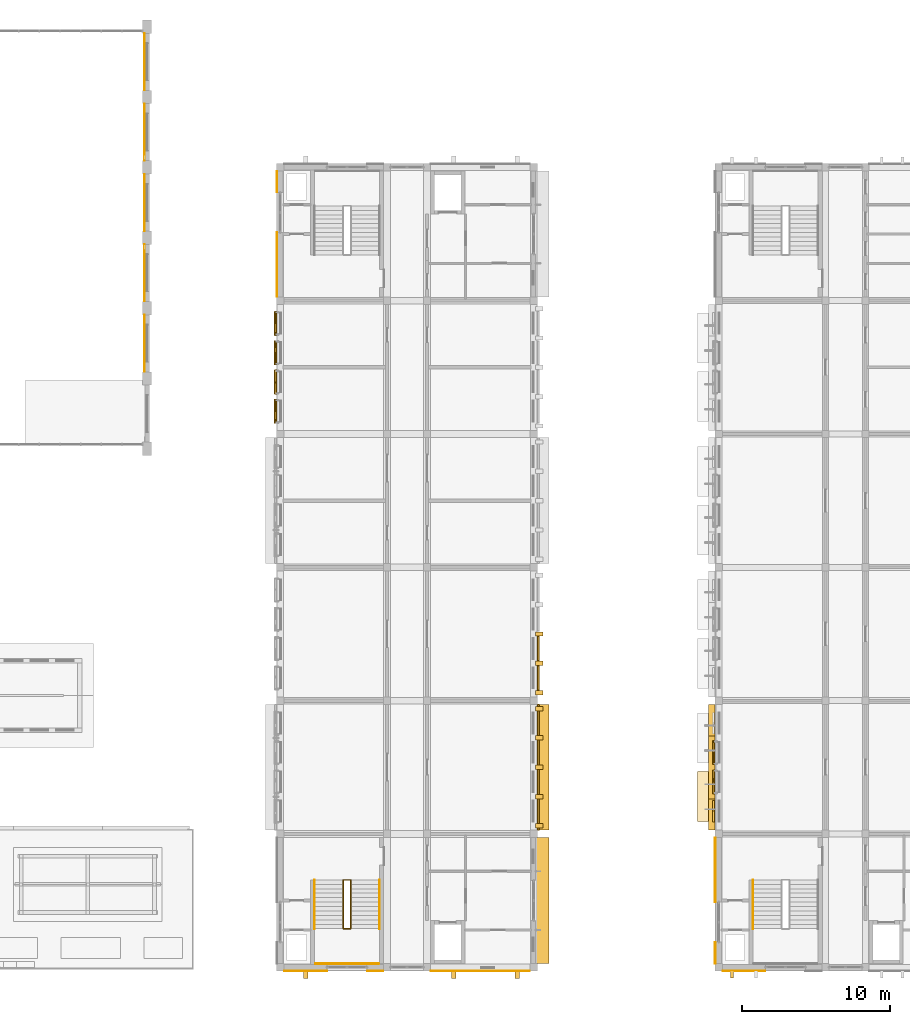
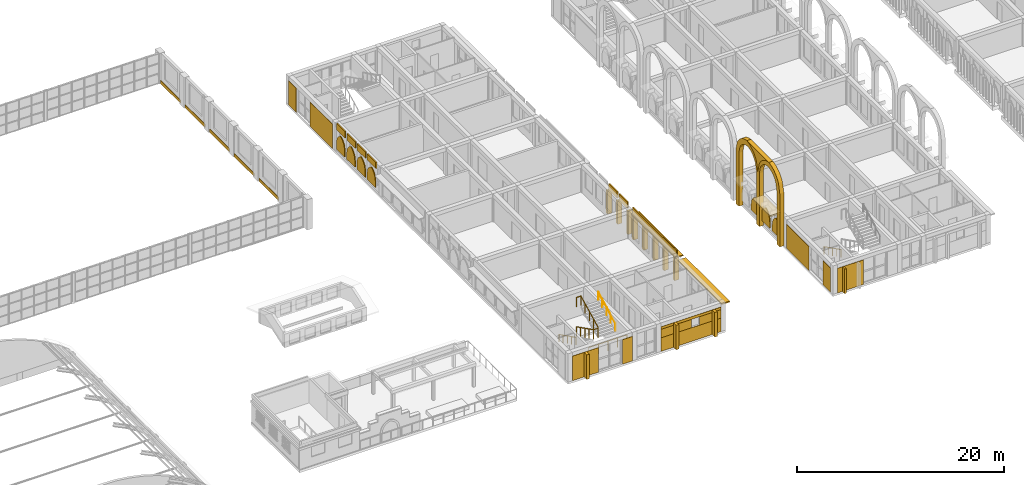
# One storey, part 57 of 70: 38 coverings, 9 shading devices, 5 railings.
"""IFC4 building model written with IfcOpenShell, lengths in metres."""

import ifcopenshell
import ifcopenshell.guid

model = None  # the IFC model being written
_history = None  # IfcOwnerHistory: only IFC2X3 demands one
_inside = {}  # id of a spatial element -> (the spatial element, [elements in it])
_under = {}  # id of a project, library or spatial element -> (it, [spatial elements below it])
_declared = {}  # id of a project -> (the project, [libraries it declares])
_typed = {}  # id of a type object -> (the type object, [elements of that type])
_made_of = {}  # id of a material, layer set ... -> (it, [elements and type objects made of it])


def new_model(schema):
    """Start an empty IFC model of exactly this schema.

    Asked for "IFC4X3", IfcOpenShell would pick the latest addendum, in which some entities
    have other attributes; the version numbers below select the first issue.
    IFC2X3 requires an IfcOwnerHistory on every rooted entity: one is made here for all.
    """
    global model, _history
    if schema == "IFC4X3":
        model = ifcopenshell.file(schema_version=(4, 3, 0, 0))
    else:
        model = ifcopenshell.file(schema=schema)
    _inside.clear()
    _under.clear()
    _declared.clear()
    _typed.clear()
    _made_of.clear()
    _history = None
    if model.schema == "IFC2X3":
        org = make("IfcOrganization", Name="unknown")
        user = make(
            "IfcPersonAndOrganization",
            ThePerson=make("IfcPerson", FamilyName="unknown"),
            TheOrganization=org,
        )
        app = make(
            "IfcApplication",
            ApplicationDeveloper=org,
            Version="unknown",
            ApplicationFullName="unknown",
            ApplicationIdentifier="unknown",
        )
        _history = make(
            "IfcOwnerHistory",
            OwningUser=user,
            OwningApplication=app,
            ChangeAction="ADDED",
            CreationDate=0,
        )
    return model


def make(cls, **values):
    """One entity of the class cls with the attributes given. An attribute that is None is left unset."""
    return model.create_entity(
        cls, **{name: value for name, value in values.items() if value is not None}
    )


def rooted(cls, **values):
    """An entity with a GlobalId (a new one), such as an element, a storey or a relation."""
    return make(cls, GlobalId=ifcopenshell.guid.new(), OwnerHistory=_history, **values)


def si_unit(unit_type, name, prefix=None):
    """IfcSIUnit, for example si_unit("LENGTHUNIT", "METRE", prefix="MILLI")."""
    return make("IfcSIUnit", UnitType=unit_type, Prefix=prefix, Name=name)


def assignment(units):
    """IfcUnitAssignment: the units of a project."""
    return None if units is None else make("IfcUnitAssignment", Units=units)


def point(xyz):
    """IfcCartesianPoint."""
    return None if xyz is None else make("IfcCartesianPoint", Coordinates=xyz)


def direction(xyz):
    """IfcDirection."""
    return None if xyz is None else make("IfcDirection", DirectionRatios=xyz)


def frame(location, z_axis=None, x_axis=None):
    """IfcAxis2Placement3D, a coordinate frame: its origin and axes. An axis left out is left unset."""
    return make(
        "IfcAxis2Placement3D",
        Location=point(location),
        Axis=direction(z_axis),
        RefDirection=direction(x_axis),
    )


def frame_2d(location, x_axis=None):
    """IfcAxis2Placement2D, a coordinate frame in the plane: its origin and x axis."""
    return make(
        "IfcAxis2Placement2D", Location=point(location), RefDirection=direction(x_axis)
    )


def origin():
    """The frame at (0, 0, 0) with its axes left unset."""
    return frame((0.0, 0.0, 0.0))


def origin_2d():
    """The frame at (0, 0) in the plane with its x axis left unset."""
    return frame_2d((0.0, 0.0))


def place(relative_to, where):
    """IfcLocalPlacement: puts the frame where relative to a parent placement (None: the world)."""
    return make(
        "IfcLocalPlacement", PlacementRelTo=relative_to, RelativePlacement=where
    )


def context(
    kind, dimensions, precision=None, world=None, true_north=None, identifier=None
):
    """IfcGeometricRepresentationContext, for example the 3D "Model" context."""
    return make(
        "IfcGeometricRepresentationContext",
        ContextIdentifier=identifier,
        ContextType=kind,
        CoordinateSpaceDimension=dimensions,
        Precision=precision,
        WorldCoordinateSystem=world,
        TrueNorth=true_north,
    )


def subcontext(parent, identifier, kind, view, scale=None):
    """IfcGeometricRepresentationSubContext, for example "Body" below "Model"."""
    return make(
        "IfcGeometricRepresentationSubContext",
        ContextIdentifier=identifier,
        ContextType=kind,
        ParentContext=parent,
        TargetScale=scale,
        TargetView=view,
    )


def project(units=None, contexts=None):
    """IfcProject with its units and contexts."""
    return rooted(
        "IfcProject",
        Name="project",
        RepresentationContexts=contexts,
        UnitsInContext=assignment(units),
    )


def spatial(cls, under=None, at=None, **own):
    """A site, building, storey or space (cls), placed at a placement, below another one or the project."""
    s = rooted(cls, ObjectPlacement=at, **own)
    if under is not None:
        _under.setdefault(under.id(), (under, []))[1].append(s)
    return s


def polyline(points):
    """IfcPolyline through the points."""
    return make("IfcPolyline", Points=[point(p) for p in points])


def profile(cls, at=None, kind="AREA", **sizes):
    """A parametric profile (cls). Its sizes go by their IFC names, for example OverallWidth=200.0."""
    return make(cls, ProfileType=kind, Position=at, **sizes)


def rectangle(**sizes):
    """IfcRectangleProfileDef."""
    return profile("IfcRectangleProfileDef", **sizes)


def circle(**sizes):
    """IfcCircleProfileDef."""
    return profile("IfcCircleProfileDef", **sizes)


def outline(outer, holes=None, kind="AREA"):
    """IfcArbitraryClosedProfileDef: a profile drawn as a closed curve; with holes, ...WithVoids."""
    if holes is None:
        return make("IfcArbitraryClosedProfileDef", ProfileType=kind, OuterCurve=outer)
    return make(
        "IfcArbitraryProfileDefWithVoids",
        ProfileType=kind,
        OuterCurve=outer,
        InnerCurves=holes,
    )


def extrude(swept, where, along, depth):
    """IfcExtrudedAreaSolid: the profile swept, set in the frame where, extruded along a direction by depth."""
    return make(
        "IfcExtrudedAreaSolid",
        SweptArea=swept,
        Position=where,
        ExtrudedDirection=direction(along),
        Depth=depth,
    )


def shape(context_of_items, identifier, shape_type, items):
    """IfcShapeRepresentation: the items that make up one representation, for example the "Body"."""
    return make(
        "IfcShapeRepresentation",
        ContextOfItems=context_of_items,
        RepresentationIdentifier=identifier,
        RepresentationType=shape_type,
        Items=items,
    )


def material(Name=None, Category=None):
    """IfcMaterial."""
    return make("IfcMaterial", Name=Name, Category=Category)


def layer(
    of_material, thickness, ventilated=None, Name=None, Category=None, Priority=None
):
    """IfcMaterialLayer: one layer of a wall or slab, of a material (None: an air gap)."""
    return make(
        "IfcMaterialLayer",
        Material=of_material,
        LayerThickness=thickness,
        IsVentilated=ventilated,
        Name=Name,
        Category=Category,
        Priority=Priority,
    )


def layer_set(layers, Name=None):
    """IfcMaterialLayerSet."""
    return make("IfcMaterialLayerSet", MaterialLayers=layers, LayerSetName=Name)


def made_of(thing, what):
    """Note that an element or type object is made of a material, layer set ...; save() writes the relation."""
    if what is not None:
        _made_of.setdefault(what.id(), (what, []))[1].append(thing)
    return thing


def type_object(cls, material=None, **own):
    """A type object (cls), such as IfcWallType, which elements share."""
    return made_of(rooted(cls, **own), material)


def element(
    cls,
    number,
    at=None,
    inside=None,
    cuts=None,
    type_object=None,
    material=None,
    context=None,
    identifier="Body",
    shape_type=None,
    held_by="IfcProductDefinitionShape",
    body=None,
    shapes=None,
    **own,
):
    """One element of the class cls, such as IfcWall. Its Tag is "e" and its number.

    at: its placement. inside: the storey or other place that contains it. cuts: it is an
    opening in that element (IfcRelVoidsElement). A single representation is given by context,
    identifier, shape_type and body (its items); several are given by shapes. held_by: the class
    of the entity that holds the representations. save() writes the other relations.
    """
    e = rooted(cls, Tag="e%d" % number, ObjectPlacement=at, **own)
    if body is not None:
        shapes = [shape(context, identifier, shape_type, body)]
    if shapes is not None:
        e.Representation = make(held_by, Representations=shapes)
    if inside is not None:
        _inside.setdefault(inside.id(), (inside, []))[1].append(e)
    if cuts is not None:
        rooted(
            "IfcRelVoidsElement", RelatingBuildingElement=cuts, RelatedOpeningElement=e
        )
    if type_object is not None:
        _typed.setdefault(type_object.id(), (type_object, []))[1].append(e)
    return made_of(e, material)


def aggregate(whole, parts):
    """IfcRelAggregates: a whole, such as a stair, and the parts it consists of."""
    return rooted("IfcRelAggregates", RelatingObject=whole, RelatedObjects=parts)


def save(model, path):
    """Write the relations noted so far, then the file.

    IfcRelAggregates (storeys below a building ...), IfcRelContainedInSpatialStructure (elements
    in a storey), IfcRelDefinesByType, IfcRelAssociatesMaterial and IfcRelDeclares: one each for
    every whole, place, type object, material and project.
    """
    for whole, parts in _under.values():
        aggregate(whole, parts)
    for where, things in _inside.values():
        rooted(
            "IfcRelContainedInSpatialStructure",
            RelatedElements=things,
            RelatingStructure=where,
        )
    for kind, things in _typed.values():
        rooted("IfcRelDefinesByType", RelatedObjects=things, RelatingType=kind)
    for what, things in _made_of.values():
        rooted("IfcRelAssociatesMaterial", RelatedObjects=things, RelatingMaterial=what)
    for by, libraries in _declared.values():
        rooted("IfcRelDeclares", RelatingContext=by, RelatedDefinitions=libraries)
    model.write(path)


model = new_model("IFC4")

# Units and contexts
model_context = context("Model", 3, precision=1e-05, world=origin(), true_north=direction((0.0, 1.0)))
body_context = subcontext(model_context, "Body", "Model", "MODEL_VIEW")
ifc_project = project(units=[si_unit("LENGTHUNIT", "METRE"), si_unit("AREAUNIT", "SQUARE_METRE"), si_unit("VOLUMEUNIT", "CUBIC_METRE"), si_unit("PLANEANGLEUNIT", "RADIAN"), si_unit("MASSUNIT", "GRAM", prefix="KILO")], contexts=[model_context])

# Site, building, storey
site_placement = place(None, origin())
site = spatial("IfcSite", under=ifc_project, at=site_placement, CompositionType="ELEMENT")
building_placement = place(site_placement, origin())
building = spatial("IfcBuilding", under=site, at=building_placement, Name="Elbe Cascade School", CompositionType="ELEMENT")
storey_placement = place(building_placement, frame((0.0, 0.0, 8.10009765625)))
storey = spatial("IfcBuildingStorey", under=building, at=storey_placement, Name="L02", CompositionType="ELEMENT", Elevation=8.10009765625)

# Railings
ifc_material_1 = material(Name="Steel S355J2H, painted", Category="steel")
railing_type_1 = type_object("IfcRailingType", Name="Bar stair guard 1100", PredefinedType="GUARDRAIL", material=ifc_material_1)
railing_1_placement = place(storey_placement, frame((73.25, 11.89990234375, 0.14990234375)))
element("IfcRailing", 1, at=railing_1_placement, inside=storey, type_object=railing_type_1, Name="Stair guard A2.S", PredefinedType="GUARDRAIL", context=body_context, shape_type="SweptSolid", body=[
    extrude(circle(Radius=0.02392578125, at=origin_2d()), frame((0.0, 0.0, 1.09619140625), z_axis=(0.0, -0.894427191, 0.4472135955), x_axis=(1.0, 0.0, 0.0)), (0.0, 0.0, 1.0), 3.689208984375),
    extrude(circle(Radius=0.02392578125, at=origin_2d()), frame((0.0, -3.2998046875, 2.74609375), z_axis=(1.0, 0.0, 0.0), x_axis=(0.0, 1.0, 0.0)), (0.0, 0.0, 1.0), 0.5),
    extrude(circle(Radius=0.02392578125, at=origin_2d()), frame((0.5, -3.2998046875, 2.74609375), z_axis=(0.0, 0.0, 1.0), x_axis=(1.0, 0.0, 0.0)), (0.0, 0.0, 1.0), 0.150146484375),
    extrude(circle(Radius=0.02392578125, at=origin_2d()), frame((0.5, -3.2998046875, 2.89599609375), z_axis=(0.0, 0.894427191, 0.4472135955), x_axis=(-1.0, 0.0, 0.0)), (0.0, 0.0, 1.0), 3.689208984375),
    extrude(circle(Radius=0.02392578125, at=origin_2d()), frame((0.5, 0.0, 4.5458984375), z_axis=(-1.0, 0.0, 0.0), x_axis=(0.0, -1.0, 0.0)), (0.0, 0.0, 1.0), 0.5),
    extrude(circle(Radius=0.02099609375, at=origin_2d()), origin(), (0.0, 0.0, 1.0), 1.072021484375),
    extrude(circle(Radius=0.02099609375, at=origin_2d()), frame((0.0, -0.824951171875, 0.41259765625)), (0.0, 0.0, 1.0), 1.072021484375),
    extrude(circle(Radius=0.02099609375, at=origin_2d()), frame((0.0, -1.64990234375, 0.824951171875)), (0.0, 0.0, 1.0), 1.072021484375),
    extrude(circle(Radius=0.02099609375, at=origin_2d()), frame((0.0, -2.474853515625, 1.2373046875)), (0.0, 0.0, 1.0), 1.072021484375),
    extrude(circle(Radius=0.02099609375, at=origin_2d()), frame((0.0, -3.2998046875, 1.64990234375)), (0.0, 0.0, 1.0), 1.072021484375),
    extrude(circle(Radius=0.02099609375, at=origin_2d()), frame((0.5, -3.2998046875, 1.64990234375)), (0.0, 0.0, 1.0), 1.072021484375),
    extrude(circle(Radius=0.02099609375, at=origin_2d()), frame((0.5, -3.2998046875, 1.800048828125)), (0.0, 0.0, 1.0), 1.072021484375),
    extrude(circle(Radius=0.02099609375, at=origin_2d()), frame((0.5, -2.474853515625, 2.21240234375)), (0.0, 0.0, 1.0), 1.072021484375),
    extrude(circle(Radius=0.02099609375, at=origin_2d()), frame((0.5, -1.64990234375, 2.625)), (0.0, 0.0, 1.0), 1.072021484375),
    extrude(circle(Radius=0.02099609375, at=origin_2d()), frame((0.5, -0.824951171875, 3.03759765625)), (0.0, 0.0, 1.0), 1.072021484375),
    extrude(circle(Radius=0.02099609375, at=origin_2d()), frame((0.5, 0.0, 3.449951171875)), (0.0, 0.0, 1.0), 1.072021484375),
    extrude(circle(Radius=0.02099609375, at=origin_2d()), frame((0.0, 0.0, 3.449951171875)), (0.0, 0.0, 1.0), 1.072021484375),
])
railing_2_placement = place(storey_placement, frame((71.360107421875, 6.239990234375, 1.7998046875)))
element("IfcRailing", 2, at=railing_2_placement, inside=storey, type_object=railing_type_1, Name="Stair guard A2.S", PredefinedType="GUARDRAIL", context=body_context, shape_type="SweptSolid", body=[
    extrude(circle(Radius=0.02392578125, at=origin_2d()), frame((0.0, 0.0, 1.09619140625), z_axis=(1.0, 0.0, 0.0), x_axis=(0.0, 1.0, 0.0)), (0.0, 0.0, 1.0), 4.27978515625),
    extrude(circle(Radius=0.02099609375, at=origin_2d()), origin(), (0.0, 0.0, 1.0), 1.072021484375),
    extrude(circle(Radius=0.02099609375, at=origin_2d()), frame((1.06982421875, 0.0, 0.0)), (0.0, 0.0, 1.0), 1.072021484375),
    extrude(circle(Radius=0.02099609375, at=origin_2d()), frame((2.139892578125, 0.0, 0.0)), (0.0, 0.0, 1.0), 1.072021484375),
    extrude(circle(Radius=0.02099609375, at=origin_2d()), frame((3.2099609375, 0.0, 0.0)), (0.0, 0.0, 1.0), 1.072021484375),
    extrude(circle(Radius=0.02099609375, at=origin_2d()), frame((4.27978515625, 0.0, 0.0)), (0.0, 0.0, 1.0), 1.072021484375),
])
ifc_material_2 = material(Name="Steel S355J2H, painted", Category="steel")
railing_type_2 = type_object("IfcRailingType", Name="Bar stair handrail 900", PredefinedType="HANDRAIL", material=ifc_material_2)
railing_3_placement = place(storey_placement, frame((71.300048828125, 11.89990234375, 0.14990234375)))
element("IfcRailing", 3, at=railing_3_placement, inside=storey, type_object=railing_type_2, Name="Stair handrail A2.S", PredefinedType="HANDRAIL", context=body_context, shape_type="SweptSolid", body=[
    extrude(circle(Radius=0.02392578125, at=origin_2d()), frame((0.0, 0.0, 0.8759765625), z_axis=(0.0, -0.894427191, 0.4472135955), x_axis=(1.0, 0.0, 0.0)), (0.0, 0.0, 1.0), 3.689208984375),
    extrude(circle(Radius=0.02099609375, at=origin_2d()), origin(), (0.0, 0.0, 1.0), 0.851806640625),
    extrude(circle(Radius=0.02099609375, at=origin_2d()), frame((0.0, -0.824951171875, 0.41259765625)), (0.0, 0.0, 1.0), 0.851806640625),
    extrude(circle(Radius=0.02099609375, at=origin_2d()), frame((0.0, -1.64990234375, 0.824951171875)), (0.0, 0.0, 1.0), 0.851806640625),
    extrude(circle(Radius=0.02099609375, at=origin_2d()), frame((0.0, -2.474853515625, 1.2373046875)), (0.0, 0.0, 1.0), 0.851806640625),
    extrude(circle(Radius=0.02099609375, at=origin_2d()), frame((0.0, -3.2998046875, 1.64990234375)), (0.0, 0.0, 1.0), 0.851806640625),
])
railing_4_placement = place(storey_placement, frame((75.699951171875, 8.60009765625, 1.949951171875)))
element("IfcRailing", 4, at=railing_4_placement, inside=storey, type_object=railing_type_2, Name="Stair handrail A2.S", PredefinedType="HANDRAIL", context=body_context, shape_type="SweptSolid", body=[
    extrude(circle(Radius=0.02392578125, at=origin_2d()), frame((0.0, 0.0, 0.8759765625), z_axis=(0.0, 0.894427191, 0.4472135955), x_axis=(-1.0, 0.0, 0.0)), (0.0, 0.0, 1.0), 3.689208984375),
    extrude(circle(Radius=0.02099609375, at=origin_2d()), origin(), (0.0, 0.0, 1.0), 0.851806640625),
    extrude(circle(Radius=0.02099609375, at=origin_2d()), frame((0.0, 0.824951171875, 0.41259765625)), (0.0, 0.0, 1.0), 0.851806640625),
    extrude(circle(Radius=0.02099609375, at=origin_2d()), frame((0.0, 1.64990234375, 0.824951171875)), (0.0, 0.0, 1.0), 0.851806640625),
    extrude(circle(Radius=0.02099609375, at=origin_2d()), frame((0.0, 2.474853515625, 1.2373046875)), (0.0, 0.0, 1.0), 0.851806640625),
    extrude(circle(Radius=0.02099609375, at=origin_2d()), frame((0.0, 3.2998046875, 1.64990234375)), (0.0, 0.0, 1.0), 0.851806640625),
])
railing_5_placement = place(storey_placement, frame((100.89990234375, 11.89990234375, 0.14990234375)))
element("IfcRailing", 5, at=railing_5_placement, inside=storey, type_object=railing_type_2, Name="Stair handrail B2.S", PredefinedType="HANDRAIL", context=body_context, shape_type="SweptSolid", body=[
    extrude(circle(Radius=0.02392578125, at=origin_2d()), frame((0.0, 0.0, 0.8759765625), z_axis=(0.0, -0.894427191, 0.4472135955), x_axis=(1.0, 0.0, 0.0)), (0.0, 0.0, 1.0), 3.689208984375),
    extrude(circle(Radius=0.02099609375, at=origin_2d()), origin(), (0.0, 0.0, 1.0), 0.851806640625),
    extrude(circle(Radius=0.02099609375, at=origin_2d()), frame((0.0, -0.824951171875, 0.41259765625)), (0.0, 0.0, 1.0), 0.851806640625),
    extrude(circle(Radius=0.02099609375, at=origin_2d()), frame((0.0, -1.64990234375, 0.824951171875)), (0.0, 0.0, 1.0), 0.851806640625),
    extrude(circle(Radius=0.02099609375, at=origin_2d()), frame((0.0, -2.474853515625, 1.2373046875)), (0.0, 0.0, 1.0), 0.851806640625),
    extrude(circle(Radius=0.02099609375, at=origin_2d()), frame((0.0, -3.2998046875, 1.64990234375)), (0.0, 0.0, 1.0), 0.851806640625),
])

# Shading devices
ifc_material_3 = material(Name="Precast concrete C30/37", Category="concrete")
ifc_layer_1 = layer(ifc_material_3, 0.1201171875)
ifc_layer_set_1 = layer_set([ifc_layer_1], Name="Precast concrete C30/37")
shading_device_type_1 = type_object("IfcShadingDeviceType", Name="Bars envelope Chhajja eave, precast concrete, 900 x 120", PredefinedType="USERDEFINED", material=ifc_layer_set_1)
for number, where, z_axis, x_axis, name in (
    (6, (86.669921875, 10.5, 2.729736328125), (0.0, 0.0, 1.0), (0.0, 1.0, 0.0), "Chhajja eave SD2 A.L02.e1"),
    (7, (86.669921875, 19.5, 2.729736328125), (0.0, 0.0, 1.0), (0.0, 1.0, 0.0), "Chhajja eave SD2 A.L02.e2"),
):
    element("IfcShadingDevice", number, at=place(storey_placement, frame(where, z_axis=z_axis, x_axis=x_axis)), inside=storey, type_object=shading_device_type_1, Name=name, ObjectType="CHHAJJA", PredefinedType="USERDEFINED", context=body_context, shape_type="SweptSolid", body=[
        extrude(rectangle(XDim=8.5, YDim=0.89990234375, at=origin_2d()), origin(), (0.0, 0.0, 1.0), 0.1201171875),
    ])
ifc_material_4 = material(Name="Precast concrete C40/50", Category="concrete")
ifc_layer_2 = layer(ifc_material_4, 0.10009765625)
ifc_layer_set_2 = layer_set([ifc_layer_2], Name="Precast concrete C40/50")
shading_device_type_2 = type_object("IfcShadingDeviceType", Name="Bars envelope Jali screen 1400 x 1940, pointed arch rise 1200, pierced precast concrete", PredefinedType="USERDEFINED", material=ifc_layer_set_2)
shading_device_1_placement = place(storey_placement, frame((98.199951171875, 15.830078125, 1.33984375), z_axis=(-1.0, 0.0, 0.0), x_axis=(0.0, 0.17792317593, 0.984044380842)))
element("IfcShadingDevice", 8, at=shading_device_1_placement, inside=storey, type_object=shading_device_type_2, Name="Jali screen SD5 B.L02.w2.1", ObjectType="JALI", PredefinedType="USERDEFINED", context=body_context, shape_type="SweptSolid", body=[
    extrude(outline(polyline([(0.0, 0.0), (0.49123641871346896, 0.0), (0.6927371139660965, 0.05238656010049558), (0.8431090177286255, 0.11426571806572286), (0.9655690388364628, 0.18094347076411482), (1.069333371826684, 0.25124965415180983), (1.1586395539315395, 0.3239218888517511), (1.2368944563687345, 0.3985922842188754), (1.305342743464475, 0.47528389408648153), (1.2680396998115664, 0.5708480999082811), (1.2209300408172035, 0.6684335202305626), (1.1627256638798062, 0.7677768560098606), (1.090106574332417, 0.8697264883115714), (0.9987917966674117, 0.9753045513025852), (0.8795651363477146, 1.0856812090267636), (0.7092096845379191, 1.2055504646156736), (0.24907507099190854, 1.377566035094913), (-0.4791081610228598, 1.5092274477521288), (-0.7281832320147683, 0.13166141265721568), (0.0, 0.0)])), origin(), (0.0, 0.0, -1.0), 0.10009765625),
])
ifc_material_5 = material(Name="Precast concrete C40/50", Category="concrete")
ifc_layer_3 = layer(ifc_material_5, 0.10009765625)
ifc_layer_set_3 = layer_set([ifc_layer_3], Name="Precast concrete C40/50")
shading_device_type_3 = type_object("IfcShadingDeviceType", Name="Bars envelope Jali screen 1600 x 1940, pointed arch rise 1200, pierced precast concrete", PredefinedType="USERDEFINED", material=ifc_layer_set_3)
shading_device_2_placement = place(storey_placement, frame((68.60009765625, 42.72998046875, 1.33984375), z_axis=(-1.0, 0.0, 0.0), x_axis=(0.0, 0.196300278283, 0.98054382908)))
element("IfcShadingDevice", 9, at=shading_device_2_placement, inside=storey, type_object=shading_device_type_3, Name="Jali screen SD4 A.L02.w5.1", ObjectType="JALI", PredefinedType="USERDEFINED", context=body_context, shape_type="SweptSolid", body=[
    extrude(outline(polyline([(0.0, 0.0), (0.509921112317134, 0.0), (0.7186409460062186, 0.06005009918221829), (0.8735458233318658, 0.1311226852889124), (0.9984789528759602, 0.2079464898907821), (1.102872417131342, 0.2891312241218946), (1.1919448840573539, 0.37338315020117196), (1.268281725197354, 0.45993570394643946), (1.3336545243794973, 0.5489321924158467), (1.3075321958793382, 0.6559965916457164), (1.270445825421322, 0.7655049255997259), (1.220671754049922, 0.877553277802997), (1.1555287604765243, 0.9924294312711612), (1.069846101614414, 1.1116665143685687), (0.9541916949707512, 1.2366548159611515), (0.7847223319636507, 1.37266560447821), (0.31409961520112845, 1.5689658827607584), (-0.41149324269448634, 1.7142261716949392), (-0.7255928578956148, 0.1452602889341807), (0.0, 0.0)])), origin(), (0.0, 0.0, -1.0), 0.10009765625),
])
for number, where, z_axis, x_axis, name in (
    (10, (68.60009765625, 44.7099609375, 1.33984375), (-1.0, 0.0, 0.0), (0.0, 0.196300278283, 0.98054382908), "Jali screen SD4 A.L02.w5.2"),
    (11, (68.60009765625, 46.68994140625, 1.33984375), (-1.0, 0.0, 0.0), (0.0, 0.196300278283, 0.98054382908), "Jali screen SD4 A.L02.w5.3"),
):
    element("IfcShadingDevice", number, at=place(storey_placement, frame(where, z_axis=z_axis, x_axis=x_axis)), inside=storey, type_object=shading_device_type_3, Name=name, ObjectType="JALI", PredefinedType="USERDEFINED", context=body_context, shape_type="SweptSolid", body=[
        extrude(outline(polyline([(0.0, 0.0), (0.509921112317134, 0.0), (0.7186409460062186, 0.06005009918221829), (0.8735458233318658, 0.1311226852889124), (0.9985268777485877, 0.20818588047405348), (1.102872417131342, 0.2891312241218946), (1.1919448840573539, 0.37338315020117196), (1.268281725197354, 0.45993570394643946), (1.3336545243794973, 0.5489321924158467), (1.3075801207519657, 0.6562359822289878), (1.270445825421322, 0.7655049255997259), (1.220671754049922, 0.877553277802997), (1.1555287604765243, 0.9924294312711612), (1.069846101614414, 1.1116665143685687), (0.9542396198433787, 1.2368942065444228), (0.7847223319636507, 1.37266560447821), (0.31409961520112845, 1.5689658827607584), (-0.41149324269448634, 1.7142261716949392), (-0.7255928578956148, 0.1452602889341807), (0.0, 0.0)])), origin(), (0.0, 0.0, -1.0), 0.10009765625),
    ])
shading_device_3_placement = place(storey_placement, frame((68.60009765625, 48.669921875, 1.33984375), z_axis=(-1.0, 0.0, 0.0), x_axis=(0.0, 0.196300278283, 0.98054382908)))
element("IfcShadingDevice", 12, at=shading_device_3_placement, inside=storey, type_object=shading_device_type_3, Name="Jali screen SD4 A.L02.w5.4", ObjectType="JALI", PredefinedType="USERDEFINED", context=body_context, shape_type="SweptSolid", body=[
    extrude(outline(polyline([(0.0, 0.0), (0.509921112317134, 0.0), (0.7186888708788461, 0.0602894897654897), (0.8735458233318658, 0.1311226852889124), (0.9985268777485877, 0.20818588047405348), (1.102872417131342, 0.2891312241218946), (1.1919448840573539, 0.37338315020117196), (1.2683296500699814, 0.46017509452971084), (1.3336545243794973, 0.5489321924158467), (1.3075801207519657, 0.6562359822289878), (1.270445825421322, 0.7655049255997259), (1.220671754049922, 0.877553277802997), (1.155576685349152, 0.9926688218544326), (1.069846101614414, 1.1116665143685687), (0.9542396198433787, 1.2368942065444228), (0.7847223319636507, 1.37266560447821), (0.31409961520112845, 1.5689658827607584), (-0.41149324269448634, 1.7142261716949392), (-0.7255928578956148, 0.1452602889341807), (0.0, 0.0)])), origin(), (0.0, 0.0, -1.0), 0.10009765625),
])
for number, where, z_axis, x_axis, name in (
    (13, (98.199951171875, 17.7099609375, 1.33984375), (-1.0, 0.0, 0.0), (0.0, 0.196300278283, 0.98054382908), "Jali screen SD4 B.L02.w2.2"),
    (14, (98.199951171875, 19.68994140625, 1.33984375), (-1.0, 0.0, 0.0), (0.0, 0.196300278283, 0.98054382908), "Jali screen SD4 B.L02.w2.3"),
):
    element("IfcShadingDevice", number, at=place(storey_placement, frame(where, z_axis=z_axis, x_axis=x_axis)), inside=storey, type_object=shading_device_type_3, Name=name, ObjectType="JALI", PredefinedType="USERDEFINED", context=body_context, shape_type="SweptSolid", body=[
        extrude(outline(polyline([(0.0, 0.0), (0.509921112317134, 0.0), (0.7186409460062186, 0.06005009918221829), (0.8735458233318658, 0.1311226852889124), (0.9985268777485877, 0.20818588047405348), (1.102872417131342, 0.2891312241218946), (1.1919448840573539, 0.37338315020117196), (1.268281725197354, 0.45993570394643946), (1.3336545243794973, 0.5489321924158467), (1.3075801207519657, 0.6562359822289878), (1.270445825421322, 0.7655049255997259), (1.220671754049922, 0.877553277802997), (1.1555287604765243, 0.9924294312711612), (1.069846101614414, 1.1116665143685687), (0.9542396198433787, 1.2368942065444228), (0.7847223319636507, 1.37266560447821), (0.31409961520112845, 1.5689658827607584), (-0.41149324269448634, 1.7142261716949392), (-0.7255928578956148, 0.1452602889341807), (0.0, 0.0)])), origin(), (0.0, 0.0, -1.0), 0.10009765625),
    ])

# Coverings
ifc_material_6 = material(Name="Precast concrete C40/50", Category="concrete")
covering_type_1 = type_object("IfcCoveringType", Name="Bars envelope Precast concrete fin, 300 wide, 500 deep", PredefinedType="CLADDING", material=ifc_material_6)
for number, where, z_axis, x_axis, name in (
    (15, (86.469970703125, 15.5400390625, 0.0), (0.0, 0.0, 1.0), (0.0, 1.0, 0.0), "Fin CV51 A.L02.e2.1"),
    (16, (86.469970703125, 17.52001953125, 0.0), (0.0, 0.0, 1.0), (0.0, 1.0, 0.0), "Fin CV51 A.L02.e2.2"),
    (17, (86.469970703125, 19.5, 0.0), (0.0, 0.0, 1.0), (0.0, 1.0, 0.0), "Fin CV51 A.L02.e2.3"),
    (18, (86.469970703125, 21.47998046875, 0.0), (0.0, 0.0, 1.0), (0.0, 1.0, 0.0), "Fin CV51 A.L02.e2.4"),
    (19, (86.469970703125, 23.4599609375, 0.0), (0.0, 0.0, 1.0), (0.0, 1.0, 0.0), "Fin CV51 A.L02.e2.5"),
    (20, (86.469970703125, 24.5400390625, 0.0), (0.0, 0.0, 1.0), (0.0, 1.0, 0.0), "Fin CV51 A.L02.e3.1"),
    (21, (86.469970703125, 26.52001953125, 0.0), (0.0, 0.0, 1.0), (0.0, 1.0, 0.0), "Fin CV51 A.L02.e3.2"),
    (22, (86.469970703125, 28.5, 0.0), (0.0, 0.0, 1.0), (0.0, 1.0, 0.0), "Fin CV51 A.L02.e3.3"),
):
    element("IfcCovering", number, at=place(storey_placement, frame(where, z_axis=z_axis, x_axis=x_axis)), inside=storey, type_object=covering_type_1, Name=name, PredefinedType="CLADDING", context=body_context, shape_type="SweptSolid", body=[
        extrude(rectangle(XDim=0.300048828125, YDim=0.5, at=origin_2d()), origin(), (0.0, 0.0, 1.0), 2.72998046875),
    ])
ifc_material_7 = material(Name="Precast concrete C40/50", Category="concrete")
covering_type_2 = type_object("IfcCoveringType", Name="Bars envelope Precast concrete gable fin, 200 wide, 450 deep", PredefinedType="CLADDING", material=ifc_material_7)
covering_1_placement = place(storey_placement, frame((99.5, 5.514892578125, 0.0), z_axis=(0.0, 0.0, 1.0), x_axis=(1.0, 0.0, 0.0)))
element("IfcCovering", 23, at=covering_1_placement, inside=storey, type_object=covering_type_2, Name="Fin CV57 B.L02.s.1", PredefinedType="CLADDING", context=body_context, shape_type="SweptSolid", body=[
    extrude(rectangle(XDim=0.199951171875, YDim=0.449951171875, at=origin_2d()), origin(), (0.0, 0.0, 1.0), 2.89990234375),
])
ifc_material_8 = material(Name="Precast concrete C40/50", Category="concrete")
covering_type_3 = type_object("IfcCoveringType", Name="Bars envelope Precast concrete gable fin, 300 wide, 500 deep", PredefinedType="CLADDING", material=ifc_material_8)
for number, where, z_axis, x_axis, name in (
    (24, (70.699951171875, 5.489990234375, 0.0), (0.0, 0.0, 1.0), (1.0, 0.0, 0.0), "Fin CV50 A.L02.s.1"),
    (25, (80.699951171875, 5.489990234375, 0.0), (0.0, 0.0, 1.0), (1.0, 0.0, 0.0), "Fin CV50 A.L02.s.2"),
    (26, (85.0, 5.489990234375, 0.0), (0.0, 0.0, 1.0), (1.0, 0.0, 0.0), "Fin CV50 A.L02.s.3"),
):
    element("IfcCovering", number, at=place(storey_placement, frame(where, z_axis=z_axis, x_axis=x_axis)), inside=storey, type_object=covering_type_3, Name=name, PredefinedType="CLADDING", context=body_context, shape_type="SweptSolid", body=[
        extrude(rectangle(XDim=0.300048828125, YDim=0.5, at=origin_2d()), origin(), (0.0, 0.0, 1.0), 2.89990234375),
    ])
ifc_material_9 = material(Name="Sandstone - red", Category="masonry")
covering_type_4 = type_object("IfcCoveringType", Name="Bars envelope Sandstone arch frame double, 8500 wide, 450 deep", PredefinedType="CLADDING", material=ifc_material_9)
covering_2_placement = place(storey_placement, frame((97.89990234375, 15.25, 0.0), z_axis=(-1.0, 0.0, 0.0), x_axis=(0.0, 0.0, 1.0)))
element("IfcCovering", 27, at=covering_2_placement, inside=storey, type_object=covering_type_4, Name="Arch frame CV58 B.L02.w2", PredefinedType="CLADDING", context=body_context, shape_type="SweptSolid", body=[
    extrude(outline(polyline([(0.0, 0.0), (6.2998046875, 0.0), (7.401611328125, 0.265625), (7.81201171875, 0.53125), (8.093994140625, 0.796875), (8.302001953125, 1.0625), (8.458251953125, 1.328125), (8.572998046875, 1.59375), (8.65234375, 1.859375), (8.699951171875, 2.125), (8.65234375, 2.390625), (8.572998046875, 2.65625), (8.458251953125, 2.921875), (8.302001953125, 3.1875), (8.093994140625, 3.453125), (7.81201171875, 3.71875), (7.401611328125, 3.984375), (6.2998046875, 4.25), (7.401611328125, 4.515625), (7.81201171875, 4.78125), (8.093994140625, 5.046875), (8.302001953125, 5.3125), (8.458251953125, 5.578125), (8.572998046875, 5.84375), (8.65234375, 6.109375), (8.699951171875, 6.375), (8.65234375, 6.640625), (8.572998046875, 6.90625), (8.458251953125, 7.171875), (8.302001953125, 7.4375), (8.093994140625, 7.703125), (7.81201171875, 7.96875), (7.401611328125, 8.234375), (6.2998046875, 8.5), (0.0, 8.5), (0.0, 7.919921875), (6.2998046875, 7.919921875), (7.152099609375, 7.708740234375), (7.467529296875, 7.49755859375), (7.6826171875, 7.2861328125), (7.839599609375, 7.074951171875), (7.955078125, 6.86376953125), (8.03759765625, 6.652587890625), (8.091796875, 6.44140625), (8.119873046875, 6.22998046875), (8.091796875, 6.018798828125), (8.03759765625, 5.8076171875), (7.955078125, 5.59619140625), (7.839599609375, 5.385009765625), (7.6826171875, 5.173828125), (7.467529296875, 4.96240234375), (7.152099609375, 4.751220703125), (6.2998046875, 4.5400390625), (0.0, 4.5400390625), (0.0, 3.9599609375), (6.2998046875, 3.9599609375), (7.152099609375, 3.748779296875), (7.467529296875, 3.53759765625), (7.6826171875, 3.326171875), (7.839599609375, 3.114990234375), (7.955078125, 2.90380859375), (8.03759765625, 2.6923828125), (8.091796875, 2.481201171875), (8.119873046875, 2.27001953125), (8.091796875, 2.05859375), (8.03759765625, 1.847412109375), (7.955078125, 1.63623046875), (7.839599609375, 1.425048828125), (7.6826171875, 1.2138671875), (7.467529296875, 1.00244140625), (7.152099609375, 0.791259765625), (6.2998046875, 0.580078125), (0.0, 0.580078125), (0.0, 0.0)])), origin(), (0.0, 0.0, -1.0), 0.449951171875),
])
ifc_material_10 = material(Name="Sandstone - red", Category="masonry")
covering_type_5 = type_object("IfcCoveringType", Name="Bars envelope Sandstone arch spandrel, 4250 wide, 450 deep", PredefinedType="CLADDING", material=ifc_material_10)
covering_3_placement = place(storey_placement, frame((97.89990234375, 19.5, 6.2998046875), z_axis=(-1.0, 0.0, 0.0), x_axis=(0.0, -0.234366782856, 0.972148245431)))
element("IfcCovering", 28, at=covering_3_placement, inside=storey, type_object=covering_type_5, Name="Arch spandrel CV59 B.L02.w2", PredefinedType="CLADDING", context=body_context, shape_type="SweptSolid", body=[
    extrude(outline(polyline([(0.0, 0.0), (1.1333730691834654, 0.0), (1.5945967655496798, -0.16204265845893395), (1.9309791589138199, -0.3541822231146897), (2.19544726556764, -0.5636589789826831), (2.409599105612259, -0.7852660468539583), (2.583402996017424, -1.0166002517089971), (2.722792458788938, -1.2562311322266582), (2.8313276071302806, -1.5033004116142559), (1.8352687799928786, 2.628329631465795), (1.851240985043711, 2.358945155468387), (1.8363588756643723, 2.082122280601041), (1.7870623386513826, 1.7970027300710736), (1.697417851998939, 1.5021560425573424), (1.557457098737294, 1.1951790430403295), (1.3455820587653293, 0.8708648523110788), (1.00886571579129, 0.5164537553850064), (0.0, 0.0)])), origin(), (0.0, 0.0, -1.0), 0.449951171875),
])
ifc_material_11 = material(Name="Sandstone - red", Category="masonry")
covering_type_6 = type_object("IfcCoveringType", Name="Bars envelope Sandstone chhajja slab, 1200 deep", PredefinedType="CLADDING", material=ifc_material_11)
covering_4_placement = place(storey_placement, frame((97.75, 17.52001953125, 3.419921875), z_axis=(0.0, 0.0, 1.0), x_axis=(0.0, 1.0, 0.0)))
element("IfcCovering", 29, at=covering_4_placement, inside=storey, type_object=covering_type_6, Name="Chhajja slab CV61 B.L02.w1.1", PredefinedType="CLADDING", context=body_context, shape_type="SweptSolid", body=[
    extrude(rectangle(XDim=3.3798828125, YDim=1.199951171875, at=origin_2d()), origin(), (0.0, 0.0, 1.0), 0.179931640625),
])
ifc_material_12 = material(Name="Sandstone - red", Category="masonry")
ifc_layer_4 = layer(ifc_material_12, 0.0400390625)
ifc_layer_set_4 = layer_set([ifc_layer_4], Name="Sandstone - red")
covering_type_7 = type_object("IfcCoveringType", Name="Bars envelope Sandstone cladding, red, 40 mm", PredefinedType="CLADDING", material=ifc_layer_set_4)
covering_5_placement = place(storey_placement, frame((68.760009765625, 53.429931640625, -0.000244140625), z_axis=(0.0, 0.0, 1.0), x_axis=(0.0, 1.0, 0.0)))
element("IfcCovering", 30, at=covering_5_placement, inside=storey, type_object=covering_type_7, Name="Sandstone cladding CV48 A.L02.w.6a.1", PredefinedType="CLADDING", context=body_context, shape_type="SweptSolid", body=[
    extrude(rectangle(XDim=4.360107421875, YDim=0.0400390625, at=origin_2d()), origin(), (0.0, 0.0, 1.0), 2.85009765625),
])
covering_6_placement = place(storey_placement, frame((68.760009765625, 59.030029296875, -0.000244140625), z_axis=(0.0, 0.0, 1.0), x_axis=(0.0, 1.0, 0.0)))
element("IfcCovering", 31, at=covering_6_placement, inside=storey, type_object=covering_type_7, Name="Sandstone cladding CV48 A.L02.w.6b.1", PredefinedType="CLADDING", context=body_context, shape_type="SweptSolid", body=[
    extrude(rectangle(XDim=1.43994140625, YDim=0.0400390625, at=origin_2d()), origin(), (0.0, 0.0, 1.0), 2.85009765625),
])
covering_7_placement = place(storey_placement, frame((70.699951171875, 5.760009765625, 0.0), z_axis=(0.0, 0.0, 1.0), x_axis=(1.0, 0.0, 0.0)))
element("IfcCovering", 32, at=covering_7_placement, inside=storey, type_object=covering_type_7, Name="Sandstone cladding CV48 A.L02.s.1a.1", PredefinedType="CLADDING", context=body_context, shape_type="SweptSolid", body=[
    extrude(rectangle(XDim=2.89990234375, YDim=0.0400390625, at=origin_2d()), origin(), (0.0, 0.0, 1.0), 2.89990234375),
])
covering_8_placement = place(storey_placement, frame((75.39990234375, 5.760009765625, 0.0), z_axis=(0.0, 0.0, 1.0), x_axis=(1.0, 0.0, 0.0)))
element("IfcCovering", 33, at=covering_8_placement, inside=storey, type_object=covering_type_7, Name="Sandstone cladding CV48 A.L02.s.1b.1", PredefinedType="CLADDING", context=body_context, shape_type="SweptSolid", body=[
    extrude(rectangle(XDim=1.10009765625, YDim=0.0400390625, at=origin_2d()), origin(), (0.0, 0.0, 1.0), 2.89990234375),
])
covering_9_placement = place(storey_placement, frame((82.5, 5.760009765625, -0.000244140625), z_axis=(0.0, 0.0, 1.0), x_axis=(1.0, 0.0, 0.0)))
element("IfcCovering", 34, at=covering_9_placement, inside=storey, type_object=covering_type_7, Name="Sandstone cladding CV48 A.L02.s.3.1", PredefinedType="CLADDING", context=body_context, shape_type="SweptSolid", body=[
    extrude(rectangle(XDim=6.699951171875, YDim=0.0400390625, at=origin_2d()), origin(), (0.0, 0.0, 1.0), 1.60009765625),
])
covering_10_placement = place(storey_placement, frame((80.85009765625, 5.760009765625, 1.599853515625), z_axis=(0.0, 0.0, 1.0), x_axis=(1.0, 0.0, 0.0)))
element("IfcCovering", 35, at=covering_10_placement, inside=storey, type_object=covering_type_7, Name="Sandstone cladding CV48 A.L02.s.3.2", PredefinedType="CLADDING", context=body_context, shape_type="SweptSolid", body=[
    extrude(rectangle(XDim=3.39990234375, YDim=0.0400390625, at=origin_2d()), origin(), (0.0, 0.0, 1.0), 1.0),
])
covering_11_placement = place(storey_placement, frame((84.64990234375, 5.760009765625, 1.599853515625), z_axis=(0.0, 0.0, 1.0), x_axis=(1.0, 0.0, 0.0)))
element("IfcCovering", 36, at=covering_11_placement, inside=storey, type_object=covering_type_7, Name="Sandstone cladding CV48 A.L02.s.3.3", PredefinedType="CLADDING", context=body_context, shape_type="SweptSolid", body=[
    extrude(rectangle(XDim=2.39990234375, YDim=0.0400390625, at=origin_2d()), origin(), (0.0, 0.0, 1.0), 1.0),
])
covering_12_placement = place(storey_placement, frame((82.5, 5.760009765625, 2.60009765625), z_axis=(0.0, 0.0, 1.0), x_axis=(1.0, 0.0, 0.0)))
element("IfcCovering", 37, at=covering_12_placement, inside=storey, type_object=covering_type_7, Name="Sandstone cladding CV48 A.L02.s.3.4", PredefinedType="CLADDING", context=body_context, shape_type="SweptSolid", body=[
    extrude(rectangle(XDim=6.699951171875, YDim=0.0400390625, at=origin_2d()), origin(), (0.0, 0.0, 1.0), 0.300048828125),
])
covering_13_placement = place(storey_placement, frame((98.360107421875, 6.969970703125, -0.000244140625), z_axis=(0.0, 0.0, 1.0), x_axis=(0.0, 1.0, 0.0)))
element("IfcCovering", 38, at=covering_13_placement, inside=storey, type_object=covering_type_7, Name="Sandstone cladding CV48 B.L02.w.1a.1", PredefinedType="CLADDING", context=body_context, shape_type="SweptSolid", body=[
    extrude(rectangle(XDim=1.43994140625, YDim=0.0400390625, at=origin_2d()), origin(), (0.0, 0.0, 1.0), 2.85009765625),
])
covering_14_placement = place(storey_placement, frame((98.360107421875, 12.570068359375, -0.000244140625), z_axis=(0.0, 0.0, 1.0), x_axis=(0.0, 1.0, 0.0)))
element("IfcCovering", 39, at=covering_14_placement, inside=storey, type_object=covering_type_7, Name="Sandstone cladding CV48 B.L02.w.1b.1", PredefinedType="CLADDING", context=body_context, shape_type="SweptSolid", body=[
    extrude(rectangle(XDim=4.360107421875, YDim=0.0400390625, at=origin_2d()), origin(), (0.0, 0.0, 1.0), 2.85009765625),
])
covering_15_placement = place(storey_placement, frame((100.300048828125, 5.760009765625, 0.0), z_axis=(0.0, 0.0, 1.0), x_axis=(1.0, 0.0, 0.0)))
element("IfcCovering", 40, at=covering_15_placement, inside=storey, type_object=covering_type_7, Name="Sandstone cladding CV48 B.L02.s.1a.1", PredefinedType="CLADDING", context=body_context, shape_type="SweptSolid", body=[
    extrude(rectangle(XDim=2.89990234375, YDim=0.0400390625, at=origin_2d()), origin(), (0.0, 0.0, 1.0), 2.89990234375),
])
ifc_material_13 = material(Name="Sandstone - red", Category="masonry")
covering_type_8 = type_object("IfcCoveringType", Name="Bars envelope Sandstone spandrel band, 120 deep", PredefinedType="CLADDING", material=ifc_material_13)
for number, where, z_axis, x_axis, name in (
    (41, (68.68994140625, 43.530029296875, 2.849853515625), (0.0, 0.0, 1.0), (0.0, 1.0, 0.0), "Spandrel band CV53 A.L02.w4.1"),
    (42, (68.68994140625, 45.510009765625, 2.849853515625), (0.0, 0.0, 1.0), (0.0, 1.0, 0.0), "Spandrel band CV53 A.L02.w4.2"),
    (43, (68.68994140625, 47.489990234375, 2.849853515625), (0.0, 0.0, 1.0), (0.0, 1.0, 0.0), "Spandrel band CV53 A.L02.w4.3"),
    (44, (68.68994140625, 49.469970703125, 2.849853515625), (0.0, 0.0, 1.0), (0.0, 1.0, 0.0), "Spandrel band CV53 A.L02.w4.4"),
):
    element("IfcCovering", number, at=place(storey_placement, frame(where, z_axis=z_axis, x_axis=x_axis)), inside=storey, type_object=covering_type_8, Name=name, PredefinedType="CLADDING", context=body_context, shape_type="SweptSolid", body=[
        extrude(rectangle(XDim=1.639892578125, YDim=0.1201171875, at=origin_2d()), origin(), (0.0, 0.0, 1.0), 0.75),
    ])
covering_16_placement = place(storey_placement, frame((86.409912109375, 19.5, 2.849853515625), z_axis=(0.0, 0.0, 1.0), x_axis=(0.0, 1.0, 0.0)))
element("IfcCovering", 45, at=covering_16_placement, inside=storey, type_object=covering_type_8, Name="Spandrel band CV53 A.L02.e1.1", PredefinedType="CLADDING", context=body_context, shape_type="SweptSolid", body=[
    extrude(rectangle(XDim=8.5, YDim=0.1201171875, at=origin_2d()), origin(), (0.0, 0.0, 1.0), 0.75),
])
for number, where, z_axis, x_axis, name in (
    (46, (86.409912109375, 25.530029296875, 2.849853515625), (0.0, 0.0, 1.0), (0.0, 1.0, 0.0), "Spandrel band CV53 A.L02.e2.1"),
    (47, (86.409912109375, 27.510009765625, 2.849853515625), (0.0, 0.0, 1.0), (0.0, 1.0, 0.0), "Spandrel band CV53 A.L02.e2.2"),
):
    element("IfcCovering", number, at=place(storey_placement, frame(where, z_axis=z_axis, x_axis=x_axis)), inside=storey, type_object=covering_type_8, Name=name, PredefinedType="CLADDING", context=body_context, shape_type="SweptSolid", body=[
        extrude(rectangle(XDim=1.639892578125, YDim=0.1201171875, at=origin_2d()), origin(), (0.0, 0.0, 1.0), 0.75),
    ])
ifc_material_14 = material(Name="Timber - impact-resistant panel", Category="wood")
ifc_layer_5 = layer(ifc_material_14, 0.0400390625)
ifc_layer_set_5 = layer_set([ifc_layer_5], Name="Timber - impact-resistant panel")
covering_type_9 = type_object("IfcCoveringType", Name="Hall impact lining upper course 400", PredefinedType="CLADDING", material=ifc_layer_set_5)
for number, where, z_axis, x_axis, name in (
    (48, (59.830078125, 48.125, 0.0), (0.0, 0.0, 1.0), (1.0, 0.0, 0.0), "Impact lining E2"),
    (49, (59.830078125, 52.875, 0.0), (0.0, 0.0, 1.0), (1.0, 0.0, 0.0), "Impact lining E3"),
    (50, (59.830078125, 57.625, 0.0), (0.0, 0.0, 1.0), (1.0, 0.0, 0.0), "Impact lining E4"),
    (51, (59.830078125, 62.375, 0.0), (0.0, 0.0, 1.0), (1.0, 0.0, 0.0), "Impact lining E5"),
    (52, (59.830078125, 67.125, 0.0), (0.0, 0.0, 1.0), (1.0, 0.0, 0.0), "Impact lining E6"),
):
    element("IfcCovering", number, at=place(storey_placement, frame(where, z_axis=z_axis, x_axis=x_axis)), inside=storey, type_object=covering_type_9, Name=name, PredefinedType="CLADDING", context=body_context, shape_type="SweptSolid", body=[
        extrude(rectangle(XDim=0.0400390625, YDim=3.85009765625, at=origin_2d()), origin(), (0.0, 0.0, 1.0), 0.39990234375),
    ])

save(model, "model.ifc")
